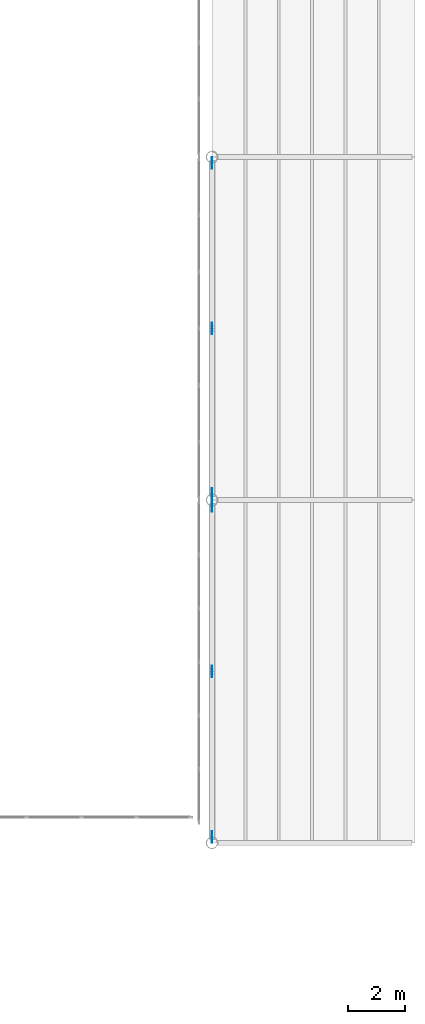
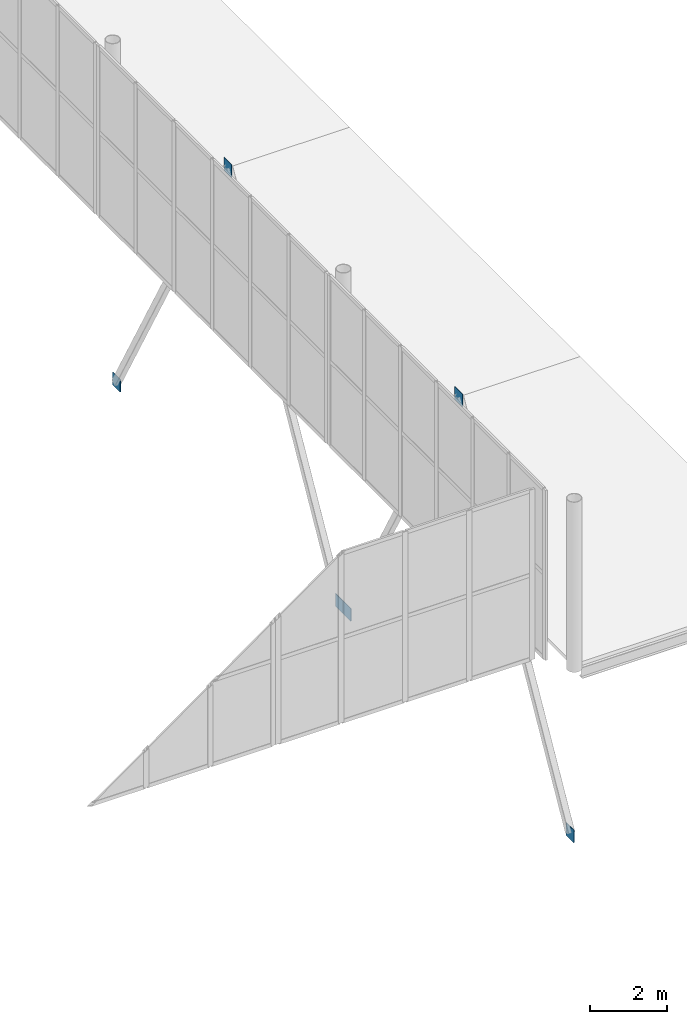
# One storey, part 141 of 170: 6 discrete accessories.
"""IFC4 building model written with IfcOpenShell, lengths in metres."""

from ifc_helpers import new_model, si_unit, direction, frame, origin, origin_2d, place, context, subcontext, project, spatial, rectangle, extrude, material, material_profile, profile_set, type_object, element, save


model = new_model("IFC4")

# Units and contexts
model_context = context("Model", 3, precision=1e-05, world=origin(), true_north=direction((0.0, 1.0)))
body_context = subcontext(model_context, "Body", "Model", "MODEL_VIEW")
ifc_project = project(units=[si_unit("LENGTHUNIT", "METRE"), si_unit("AREAUNIT", "SQUARE_METRE"), si_unit("VOLUMEUNIT", "CUBIC_METRE"), si_unit("PLANEANGLEUNIT", "RADIAN"), si_unit("MASSUNIT", "GRAM", prefix="KILO")], contexts=[model_context])

# Site, building, storey
site_placement = place(None, origin())
site = spatial("IfcSite", under=ifc_project, at=site_placement, CompositionType="ELEMENT")
building_placement = place(site_placement, origin())
building = spatial("IfcBuilding", under=site, at=building_placement, Name="Ravi Spectrum Wholesale Market", CompositionType="ELEMENT")
storey_placement = place(building_placement, frame((0.0, 0.0, 5.39990234375)))
storey = spatial("IfcBuildingStorey", under=building, at=storey_placement, Name="L01", CompositionType="ELEMENT", Elevation=5.39990234375)

# Discrete accessories
ifc_material = material(Name="Steel S355", Category="steel")
ifc_material_profile = material_profile(ifc_material, rectangle(XDim=0.39990234375, YDim=0.02001953125, at=origin_2d()))
ifc_profile_set = profile_set([ifc_material_profile], Name="Steel S355")
discrete_accessory_type = type_object("IfcDiscreteAccessoryType", Name="Gusset plate 400x400x20", PredefinedType="BRACKET", material=ifc_profile_set)
for number, where, z_axis, x_axis, name in (
    (1, (198.0, 78.203125, -5.550537109375), (0.0, 0.0, 1.0), (0.0, 1.0, 0.0), "Gusset plate"),
    (2, (198.0, 84.0, 4.775146484375), (0.0, 0.0, 1.0), (0.0, 1.0, 0.0), "Gusset plate"),
    (3, (198.0, 89.796875, -5.550537109375), (0.0, 0.0, 1.0), (0.0, -1.0, 0.0), "Gusset plate"),
    (4, (198.0, 90.203125, -5.550537109375), (0.0, 0.0, 1.0), (0.0, 1.0, 0.0), "Gusset plate"),
    (5, (198.0, 96.0, 4.775146484375), (0.0, 0.0, 1.0), (0.0, 1.0, 0.0), "Gusset plate"),
    (6, (198.0, 101.796875, -5.550537109375), (0.0, 0.0, 1.0), (0.0, -1.0, 0.0), "Gusset plate"),
):
    element("IfcDiscreteAccessory", number, at=place(storey_placement, frame(where, z_axis=z_axis, x_axis=x_axis)), inside=storey, type_object=discrete_accessory_type, Name=name, PredefinedType="BRACKET", context=body_context, shape_type="SweptSolid", body=[
        extrude(rectangle(XDim=0.39990234375, YDim=0.02001953125, at=origin_2d()), origin(), (0.0, 0.0, 1.0), 0.39990234375),
    ])

save(model, "model.ifc")
